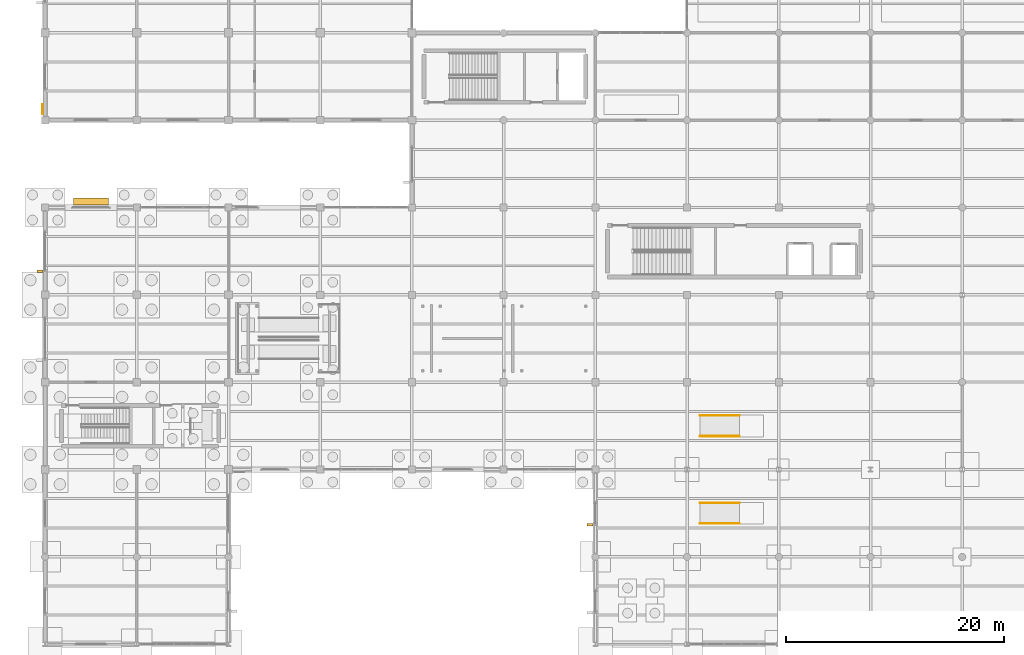
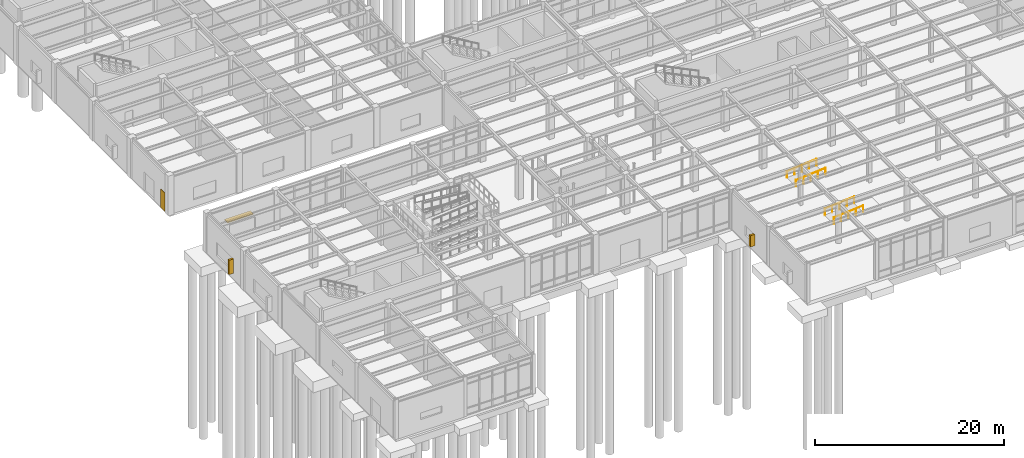
# One storey, part 126 of 138: 4 railings, 3 shading devices, 1 covering.
"""IFC4 building model written with IfcOpenShell, lengths in metres."""

from ifc_helpers import new_model, si_unit, direction, frame, origin, origin_2d, place, context, subcontext, project, spatial, rectangle, circle, extrude, material, layer, layer_set, type_object, element, save


model = new_model("IFC4")

# Units and contexts
model_context = context("Model", 3, precision=1e-05, world=origin(), true_north=direction((0.0, 1.0)))
body_context = subcontext(model_context, "Body", "Model", "MODEL_VIEW")
ifc_project = project(units=[si_unit("LENGTHUNIT", "METRE"), si_unit("AREAUNIT", "SQUARE_METRE"), si_unit("VOLUMEUNIT", "CUBIC_METRE"), si_unit("PLANEANGLEUNIT", "RADIAN"), si_unit("MASSUNIT", "GRAM", prefix="KILO")], contexts=[model_context])

# Site, building, storey
site_placement = place(None, origin())
site = spatial("IfcSite", under=ifc_project, at=site_placement, CompositionType="ELEMENT")
building_placement = place(site_placement, origin())
building = spatial("IfcBuilding", under=site, at=building_placement, Name="Kranzveld Transit Interchange", CompositionType="ELEMENT")
storey_placement = place(building_placement, origin())
storey = spatial("IfcBuildingStorey", under=building, at=storey_placement, Name="L00", CompositionType="ELEMENT", Elevation=0.0)

# Shading devices
ifc_material_1 = material(Name="Bronze-anodised thermally broken aluminium", Category="aluminium")
shading_device_type_1 = type_object("IfcShadingDeviceType", Name="East-West Deep Clinker Solar Fin", PredefinedType="USERDEFINED", material=ifc_material_1)
shading_device_1_placement = place(storey_placement, frame((-0.47998046875, 34.152587890625, 0.824951171875), z_axis=(0.0, 0.0, 1.0), x_axis=(0.0, 1.0, 0.0)))
element("IfcShadingDevice", 1, at=shading_device_1_placement, inside=storey, type_object=shading_device_type_1, Name="L00 Vertical Solar Fin 01/E", ObjectType="SOLAR FIN", PredefinedType="USERDEFINED", context=body_context, shape_type="SweptSolid", body=[
    extrude(rectangle(XDim=0.239990234375, YDim=0.550048828125, at=origin_2d()), origin(), (0.0, 0.0, 1.0), 1.85009765625),
])
shading_device_2_placement = place(storey_placement, frame((49.919921875, 10.93994140625, 0.8251953125), z_axis=(0.0, 0.0, 1.0), x_axis=(0.0, 1.0, 0.0)))
element("IfcShadingDevice", 2, at=shading_device_2_placement, inside=storey, type_object=shading_device_type_1, Name="L00 Vertical Solar Fin 07/B", ObjectType="SOLAR FIN", PredefinedType="USERDEFINED", context=body_context, shape_type="SweptSolid", body=[
    extrude(rectangle(XDim=0.239990234375, YDim=0.550048828125, at=origin_2d()), origin(), (0.0, 0.0, 1.0), 1.449951171875),
])
ifc_material_2 = material(Name="Bronze-anodised thermally broken aluminium", Category="aluminium")
shading_device_type_2 = type_object("IfcShadingDeviceType", Name="North Overhang Solar Louvre Brise-Soleil", PredefinedType="JALOUSIE", material=ifc_material_2)
shading_device_3_placement = place(storey_placement, frame((4.199951171875, 40.544921875, 2.550048828125), z_axis=(0.0, 0.0, 1.0), x_axis=(1.0, 0.0, 0.0)))
element("IfcShadingDevice", 3, at=shading_device_3_placement, inside=storey, type_object=shading_device_type_2, Name="L00 North Solar Louvre 01/F", PredefinedType="JALOUSIE", context=body_context, shape_type="SweptSolid", body=[
    extrude(rectangle(XDim=3.199951171875, YDim=0.64990234375, at=origin_2d()), origin(), (0.0, 0.0, 1.0), 0.1201171875),
])

# Covering
ifc_material_3 = material(Name="Ochre Pretoria sandstone cladding, 45 MPa", Category="masonry")
ifc_layer = layer(ifc_material_3, 0.044921875)
ifc_layer_set = layer_set([ifc_layer], Name="Ochre Pretoria sandstone cladding, 45 MPa")
covering_type = type_object("IfcCoveringType", Name="Ochre Pretoria Sandstone Pier Cladding 45", PredefinedType="CLADDING", material=ifc_layer_set)
covering_placement = place(storey_placement, frame((-0.2275390625, 49.0, 0.0), z_axis=(0.0, 0.0, 1.0), x_axis=(0.0, 1.0, 0.0)))
element("IfcCovering", 4, at=covering_placement, inside=storey, type_object=covering_type, Name="L00 Sandstone Plinth Cladding 01", PredefinedType="CLADDING", context=body_context, shape_type="SweptSolid", body=[
    extrude(rectangle(XDim=0.89990234375, YDim=0.044921875, at=origin_2d()), origin(), (0.0, 0.0, 1.0), 2.39990234375),
])

# Railings
ifc_material_4 = material(Name="Steel S355JR", Category="steel")
railing_type = type_object("IfcRailingType", Name="Stair & Ramp Handrail Steel 900", PredefinedType="HANDRAIL", material=ifc_material_4)
for number, where, name in (
    (5, (60.0, 11.050048828125, 0.0), "RMP-3 Handrail H1"),
    (6, (60.0, 12.949951171875, 0.0), "RMP-3 Handrail H2"),
    (7, (60.0, 19.050048828125, 0.0), "RMP-4 Handrail H1"),
    (8, (60.0, 20.949951171875, 0.0), "RMP-4 Handrail H2"),
):
    element("IfcRailing", number, at=place(storey_placement, frame(where)), inside=storey, type_object=railing_type, Name=name, PredefinedType="HANDRAIL", context=body_context, shape_type="SweptSolid", body=[
        extrude(circle(Radius=0.02392578125, at=origin_2d()), frame((0.0, 0.0, 0.8759765625), z_axis=(0.996544826035, 0.0, 0.083056665618), x_axis=(0.0, 1.0, 0.0)), (0.0, 0.0, 1.0), 3.612548828125),
        extrude(circle(Radius=0.02099609375, at=origin_2d()), origin(), (0.0, 0.0, 1.0), 0.849853515625),
        extrude(circle(Radius=0.02099609375, at=origin_2d()), frame((0.89990234375, 0.0, 0.074951171875)), (0.0, 0.0, 1.0), 0.849853515625),
        extrude(circle(Radius=0.02099609375, at=origin_2d()), frame((1.800048828125, 0.0, 0.14990234375)), (0.0, 0.0, 1.0), 0.849853515625),
        extrude(circle(Radius=0.02099609375, at=origin_2d()), frame((2.7001953125, 0.0, 0.22509765625)), (0.0, 0.0, 1.0), 0.849853515625),
        extrude(circle(Radius=0.02099609375, at=origin_2d()), frame((3.60009765625, 0.0, 0.300048828125)), (0.0, 0.0, 1.0), 0.849853515625),
    ])

save(model, "model.ifc")
